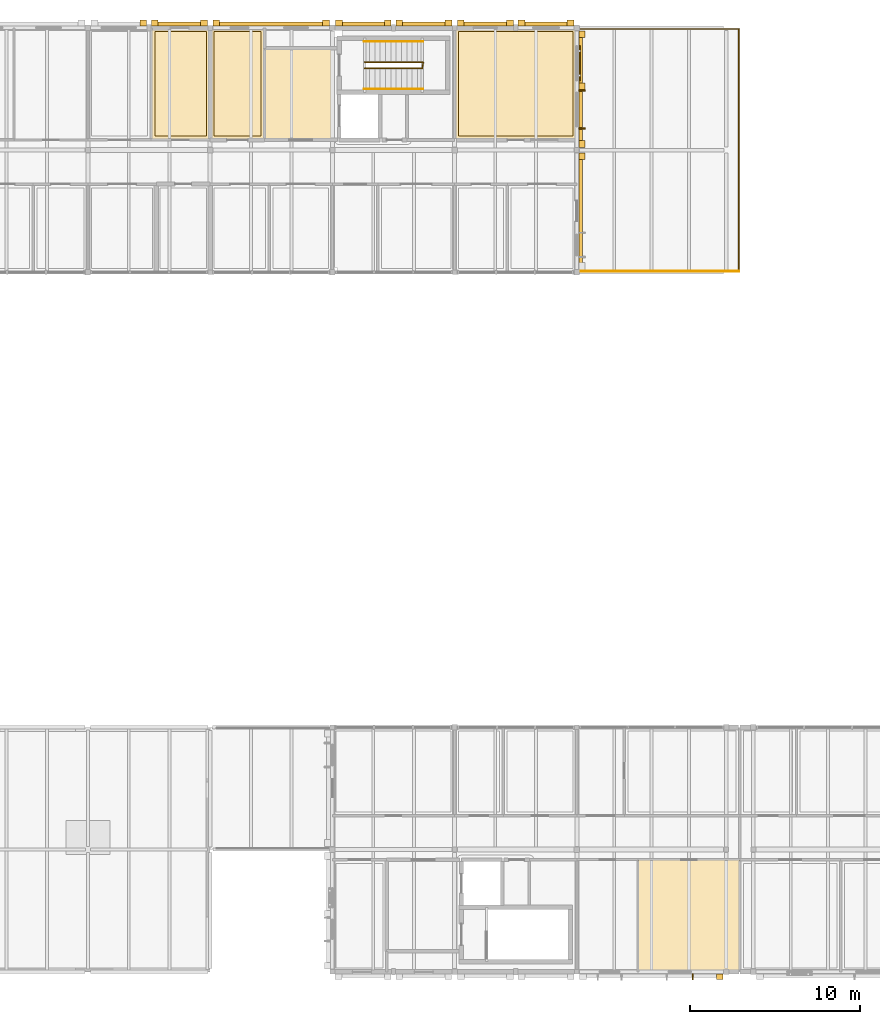
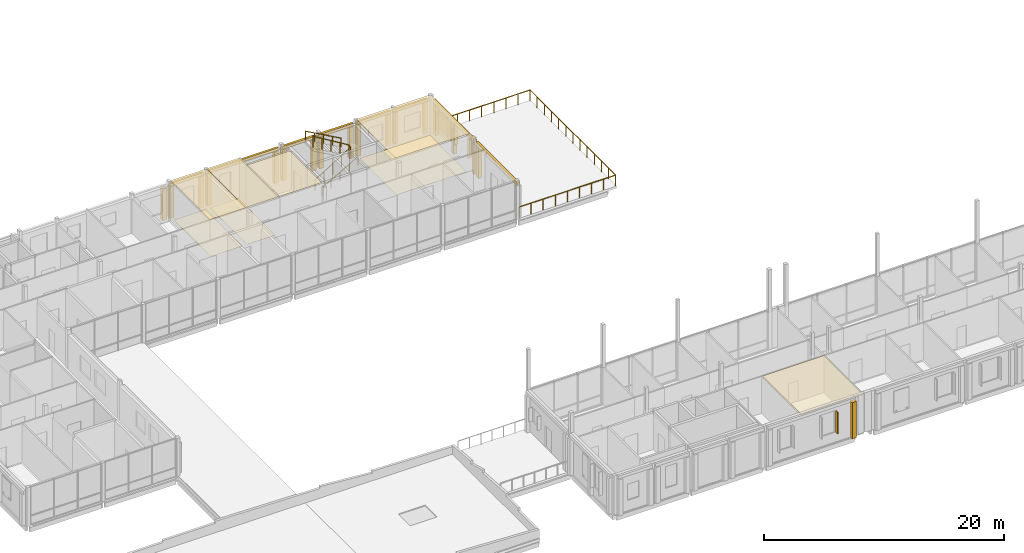
# One storey, part 54 of 57: 34 coverings, 5 railings, 4 shading devices.
"""IFC4 building model written with IfcOpenShell, lengths in metres."""

from ifc_helpers import new_model, si_unit, direction, frame, origin, origin_2d, place, context, subcontext, project, spatial, polyline, rectangle, circle, outline, extrude, material, layer, layer_set, type_object, element, save


model = new_model("IFC4")

# Units and contexts
model_context = context("Model", 3, precision=1e-05, world=origin(), true_north=direction((0.0, 1.0)))
body_context = subcontext(model_context, "Body", "Model", "MODEL_VIEW")
ifc_project = project(units=[si_unit("LENGTHUNIT", "METRE"), si_unit("AREAUNIT", "SQUARE_METRE"), si_unit("VOLUMEUNIT", "CUBIC_METRE"), si_unit("PLANEANGLEUNIT", "RADIAN"), si_unit("MASSUNIT", "GRAM", prefix="KILO")], contexts=[model_context])

# Site, building, storey
site_placement = place(None, origin())
site = spatial("IfcSite", under=ifc_project, at=site_placement, CompositionType="ELEMENT")
building_placement = place(site_placement, origin())
building = spatial("IfcBuilding", under=site, at=building_placement, Name="Hawrajan Terrace Health Centre", CompositionType="ELEMENT")
storey_placement = place(building_placement, frame((0.0, 0.0, 13.199951171875)))
storey = spatial("IfcBuildingStorey", under=building, at=storey_placement, Name="L03", CompositionType="ELEMENT", Elevation=13.199951171875)

# Coverings
ifc_material_1 = material(Name="Precast concrete C40/50", Category="concrete")
ifc_layer_1 = layer(ifc_material_1, 0.219970703125)
ifc_layer_set_1 = layer_set([ifc_layer_1], Name="Precast concrete C40/50")
covering_type_1 = type_object("IfcCoveringType", Name="ArtDecoCorniceBand", PredefinedType="CLADDING", material=ifc_layer_set_1)
covering_1_placement = place(storey_placement, frame((38.7900390625, 60.034912109375, 3.240234375), z_axis=(0.0, 0.0, 1.0), x_axis=(1.0, 0.0, 0.0)))
element("IfcCovering", 1, at=covering_1_placement, inside=storey, type_object=covering_type_1, Name="Art Deco limestone cornice band CRN-L03-0167", PredefinedType="CLADDING", context=body_context, shape_type="SweptSolid", body=[
    extrude(rectangle(XDim=3.300048828125, YDim=0.219970703125, at=origin_2d()), origin(), (0.0, 0.0, 1.0), 0.300048828125),
])
covering_2_placement = place(storey_placement, frame((44.18994140625, 60.034912109375, 3.240234375), z_axis=(0.0, 0.0, 1.0), x_axis=(1.0, 0.0, 0.0)))
element("IfcCovering", 2, at=covering_2_placement, inside=storey, type_object=covering_type_1, Name="Art Deco limestone cornice band CRN-L03-0168", PredefinedType="CLADDING", context=body_context, shape_type="SweptSolid", body=[
    extrude(rectangle(XDim=6.860107421875, YDim=0.219970703125, at=origin_2d()), origin(), (0.0, 0.0, 1.0), 0.300048828125),
])
covering_3_placement = place(storey_placement, frame((49.6201171875, 60.034912109375, 3.2099609375), z_axis=(0.0, 0.0, 1.0), x_axis=(1.0, 0.0, 0.0)))
element("IfcCovering", 3, at=covering_3_placement, inside=storey, type_object=covering_type_1, Name="Art Deco limestone cornice band CRN-L03-0173", PredefinedType="CLADDING", context=body_context, shape_type="SweptSolid", body=[
    extrude(rectangle(XDim=3.280029296875, YDim=0.219970703125, at=origin_2d()), origin(), (0.0, 0.0, 1.0), 0.300048828125),
])
covering_4_placement = place(storey_placement, frame((53.18994140625, 60.034912109375, 3.2099609375), z_axis=(0.0, 0.0, 1.0), x_axis=(1.0, 0.0, 0.0)))
element("IfcCovering", 4, at=covering_4_placement, inside=storey, type_object=covering_type_1, Name="Art Deco limestone cornice band CRN-L03-0174", PredefinedType="CLADDING", context=body_context, shape_type="SweptSolid", body=[
    extrude(rectangle(XDim=3.300048828125, YDim=0.219970703125, at=origin_2d()), origin(), (0.0, 0.0, 1.0), 0.300048828125),
])
covering_5_placement = place(storey_placement, frame((62.43505859375, 49.010009765625, 3.2099609375), z_axis=(0.0, 0.0, 1.0), x_axis=(0.0, 1.0, 0.0)))
element("IfcCovering", 5, at=covering_5_placement, inside=storey, type_object=covering_type_1, Name="Art Deco limestone cornice band CRN-L03-0177", PredefinedType="CLADDING", context=body_context, shape_type="SweptSolid", body=[
    extrude(rectangle(XDim=6.860107421875, YDim=0.219970703125, at=origin_2d()), origin(), (0.0, 0.0, 1.0), 0.300048828125),
])
covering_6_placement = place(storey_placement, frame((56.81005859375, 60.034912109375, 3.2099609375), z_axis=(0.0, 0.0, 1.0), x_axis=(1.0, 0.0, 0.0)))
element("IfcCovering", 6, at=covering_6_placement, inside=storey, type_object=covering_type_1, Name="Art Deco limestone cornice band CRN-L03-0178", PredefinedType="CLADDING", context=body_context, shape_type="SweptSolid", body=[
    extrude(rectangle(XDim=3.300048828125, YDim=0.219970703125, at=origin_2d()), origin(), (0.0, 0.0, 1.0), 0.300048828125),
])
covering_7_placement = place(storey_placement, frame((60.3798828125, 60.034912109375, 3.2099609375), z_axis=(0.0, 0.0, 1.0), x_axis=(1.0, 0.0, 0.0)))
element("IfcCovering", 7, at=covering_7_placement, inside=storey, type_object=covering_type_1, Name="Art Deco limestone cornice band CRN-L03-0179", PredefinedType="CLADDING", context=body_context, shape_type="SweptSolid", body=[
    extrude(rectangle(XDim=3.280029296875, YDim=0.219970703125, at=origin_2d()), origin(), (0.0, 0.0, 1.0), 0.300048828125),
])
covering_8_placement = place(storey_placement, frame((62.43505859375, 56.18994140625, 3.2099609375), z_axis=(0.0, 0.0, 1.0), x_axis=(0.0, 1.0, 0.0)))
element("IfcCovering", 8, at=covering_8_placement, inside=storey, type_object=covering_type_1, Name="Art Deco limestone cornice band CRN-L03-0180", PredefinedType="CLADDING", context=body_context, shape_type="SweptSolid", body=[
    extrude(rectangle(XDim=6.860107421875, YDim=0.219970703125, at=origin_2d()), origin(), (0.0, 0.0, 1.0), 0.300048828125),
])
ifc_layer_2 = layer(ifc_material_1, 0.340087890625)
ifc_layer_set_2 = layer_set([ifc_layer_2], Name="Precast concrete C40/50")
covering_type_2 = type_object("IfcCoveringType", Name="ArtDecoStonePilaster", PredefinedType="CLADDING", material=ifc_layer_set_2)
for number, where, z_axis, x_axis, name in (
    (9, (36.659912109375, 60.094970703125, 0.0), (0.0, 0.0, 1.0), (1.0, 0.0, 0.0), "Art Deco fluted limestone pilaster FPIL-L03-0329"),
    (10, (37.340087890625, 60.094970703125, 0.0), (0.0, 0.0, 1.0), (1.0, 0.0, 0.0), "Art Deco fluted limestone pilaster FPIL-L03-0330"),
    (11, (40.239990234375, 60.094970703125, 0.0), (0.0, 0.0, 1.0), (1.0, 0.0, 0.0), "Art Deco fluted limestone pilaster FPIL-L03-0331"),
    (12, (40.9599609375, 60.094970703125, 0.0), (0.0, 0.0, 1.0), (1.0, 0.0, 0.0), "Art Deco fluted limestone pilaster FPIL-L03-0332"),
    (13, (47.419921875, 60.094970703125, 0.0), (0.0, 0.0, 1.0), (1.0, 0.0, 0.0), "Art Deco fluted limestone pilaster FPIL-L03-0333"),
):
    element("IfcCovering", number, at=place(storey_placement, frame(where, z_axis=z_axis, x_axis=x_axis)), inside=storey, type_object=covering_type_2, Name=name, PredefinedType="CLADDING", context=body_context, shape_type="SweptSolid", body=[
        extrude(rectangle(XDim=0.39990234375, YDim=0.340087890625, at=origin_2d()), origin(), (0.0, 0.0, 1.0), 3.22998046875),
    ])
for number, where, z_axis, x_axis, name in (
    (14, (48.179931640625, 60.094970703125, 0.0), (0.0, 0.0, 1.0), (1.0, 0.0, 0.0), "Art Deco fluted limestone pilaster FPIL-L03-0343"),
    (15, (51.06005859375, 60.094970703125, 0.0), (0.0, 0.0, 1.0), (1.0, 0.0, 0.0), "Art Deco fluted limestone pilaster FPIL-L03-0344"),
    (16, (51.739990234375, 60.094970703125, 0.0), (0.0, 0.0, 1.0), (1.0, 0.0, 0.0), "Art Deco fluted limestone pilaster FPIL-L03-0345"),
    (17, (54.639892578125, 60.094970703125, 0.0), (0.0, 0.0, 1.0), (1.0, 0.0, 0.0), "Art Deco fluted limestone pilaster FPIL-L03-0346"),
    (18, (62.4951171875, 52.239990234375, 0.0), (0.0, 0.0, 1.0), (0.0, 1.0, 0.0), "Art Deco fluted limestone pilaster FPIL-L03-0352"),
    (19, (55.360107421875, 60.094970703125, 0.0), (0.0, 0.0, 1.0), (1.0, 0.0, 0.0), "Art Deco fluted limestone pilaster FPIL-L03-0353"),
    (20, (58.260009765625, 60.094970703125, 0.0), (0.0, 0.0, 1.0), (1.0, 0.0, 0.0), "Art Deco fluted limestone pilaster FPIL-L03-0354"),
    (21, (58.93994140625, 60.094970703125, 0.0), (0.0, 0.0, 1.0), (1.0, 0.0, 0.0), "Art Deco fluted limestone pilaster FPIL-L03-0355"),
    (22, (61.820068359375, 60.094970703125, 0.0), (0.0, 0.0, 1.0), (1.0, 0.0, 0.0), "Art Deco fluted limestone pilaster FPIL-L03-0356"),
    (23, (62.4951171875, 52.9599609375, 0.0), (0.0, 0.0, 1.0), (0.0, 1.0, 0.0), "Art Deco fluted limestone pilaster FPIL-L03-0357"),
    (24, (62.4951171875, 59.419921875, 0.0), (0.0, 0.0, 1.0), (0.0, 1.0, 0.0), "Art Deco fluted limestone pilaster FPIL-L03-0358"),
):
    element("IfcCovering", number, at=place(storey_placement, frame(where, z_axis=z_axis, x_axis=x_axis)), inside=storey, type_object=covering_type_2, Name=name, PredefinedType="CLADDING", context=body_context, shape_type="SweptSolid", body=[
        extrude(rectangle(XDim=0.39990234375, YDim=0.340087890625, at=origin_2d()), origin(), (0.0, 0.0, 1.0), 3.199951171875),
    ])
covering_9_placement = place(storey_placement, frame((62.4951171875, 56.360107421875, 0.0), z_axis=(0.0, 0.0, 1.0), x_axis=(0.0, 1.0, 0.0)))
element("IfcCovering", 25, at=covering_9_placement, inside=storey, type_object=covering_type_2, Name="Art Deco mullion pilaster FPIL-L03-0359", PredefinedType="CLADDING", context=body_context, shape_type="SweptSolid", body=[
    extrude(rectangle(XDim=0.360107421875, YDim=0.340087890625, at=origin_2d()), origin(), (0.0, 0.0, 1.0), 3.199951171875),
])
covering_10_placement = place(storey_placement, frame((70.6201171875, 3.905029296875, 0.0), z_axis=(0.0, 0.0, 1.0), x_axis=(1.0, 0.0, 0.0)))
element("IfcCovering", 26, at=covering_10_placement, inside=storey, type_object=covering_type_2, Name="Art Deco fluted limestone pilaster FPIL-L03-0361", PredefinedType="CLADDING", context=body_context, shape_type="SweptSolid", body=[
    extrude(rectangle(XDim=0.39990234375, YDim=0.340087890625, at=origin_2d()), origin(), (0.0, 0.0, 1.0), 3.679931640625),
])
ifc_material_2 = material(Name="Hygienic mineral-fibre acoustic tile ceiling")
ifc_layer_3 = layer(ifc_material_2, 0.02490234375)
ifc_layer_set_3 = layer_set([ifc_layer_3], Name="Hygienic mineral-fibre acoustic tile ceiling")
covering_type_3 = type_object("IfcCoveringType", Name="ClinicalAcousticCeiling_25", PredefinedType="CEILING", material=ifc_layer_set_3)
covering_11_placement = place(storey_placement, frame((0.0, 0.0, 3.93505859375)))
element("IfcCovering", 27, at=covering_11_placement, inside=storey, type_object=covering_type_3, Name="Suspended ceiling L03-013", PredefinedType="CEILING", context=body_context, shape_type="SweptSolid", body=[
    extrude(outline(polyline([(43.820068359375, 53.219970703125), (43.820068359375, 58.580078125), (47.929931640625, 58.580078125), (47.929931640625, 53.219970703125), (43.820068359375, 53.219970703125)])), origin(), (0.0, 0.0, 1.0), 0.02490234375),
])
covering_12_placement = place(storey_placement, frame((0.0, 0.0, 3.72509765625)))
element("IfcCovering", 28, at=covering_12_placement, inside=storey, type_object=covering_type_3, Name="Suspended ceiling L03-027", PredefinedType="CEILING", context=body_context, shape_type="SweptSolid", body=[
    extrude(outline(polyline([(65.820068359375, 10.780029296875), (71.77490234375, 10.780029296875), (71.77490234375, 4.219970703125), (65.820068359375, 4.219970703125), (65.820068359375, 10.780029296875)])), origin(), (0.0, 0.0, 1.0), 0.02490234375),
])
covering_13_placement = place(storey_placement, frame((0.0, 0.0, 3.93505859375)))
element("IfcCovering", 29, at=covering_13_placement, inside=storey, type_object=covering_type_3, Name="Suspended ceiling L03-047", PredefinedType="CEILING", context=body_context, shape_type="SweptSolid", body=[
    extrude(outline(polyline([(37.142333984375, 59.780029296875), (40.580078125, 59.780029296875), (40.580078125, 53.219970703125), (37.142333984375, 53.219970703125), (37.142333984375, 59.780029296875)])), origin(), (0.0, 0.0, 1.0), 0.02490234375),
])
covering_14_placement = place(storey_placement, frame((0.0, 0.0, 3.93505859375)))
element("IfcCovering", 30, at=covering_14_placement, inside=storey, type_object=covering_type_3, Name="Suspended ceiling L03-050", PredefinedType="CEILING", context=body_context, shape_type="SweptSolid", body=[
    extrude(outline(polyline([(40.6201171875, 59.780029296875), (43.780029296875, 59.780029296875), (43.780029296875, 53.219970703125), (40.6201171875, 53.219970703125), (40.6201171875, 59.780029296875)])), origin(), (0.0, 0.0, 1.0), 0.02490234375),
])
covering_15_placement = place(storey_placement, frame((0.0, 0.0, 3.93505859375)))
element("IfcCovering", 31, at=covering_15_placement, inside=storey, type_object=covering_type_3, Name="Suspended ceiling L03-055", PredefinedType="CEILING", context=body_context, shape_type="SweptSolid", body=[
    extrude(outline(polyline([(55.02001953125, 59.780029296875), (62.179931640625, 59.780029296875), (62.179931640625, 53.219970703125), (55.02001953125, 53.219970703125), (55.02001953125, 59.780029296875)])), origin(), (0.0, 0.0, 1.0), 0.02490234375),
])
ifc_material_3 = material(Name="Seamless medical-grade cushioned vinyl flooring")
ifc_layer_4 = layer(ifc_material_3, 0.011962890625)
ifc_layer_set_4 = layer_set([ifc_layer_4], Name="Seamless medical-grade cushioned vinyl flooring")
covering_type_4 = type_object("IfcCoveringType", Name="ClinicalVinylFlooring_12", PredefinedType="FLOORING", material=ifc_layer_set_4)
covering_16_placement = place(storey_placement, origin())
element("IfcCovering", 32, at=covering_16_placement, inside=storey, type_object=covering_type_4, Name="Floor finish L03-047", PredefinedType="FLOORING", context=body_context, shape_type="SweptSolid", body=[
    extrude(outline(polyline([(37.34228515625, 59.580078125), (40.3798828125, 59.580078125), (40.3798828125, 53.419921875), (37.34228515625, 53.419921875), (37.34228515625, 59.580078125)])), origin(), (0.0, 0.0, 1.0), 0.011962890625),
])
covering_17_placement = place(storey_placement, origin())
element("IfcCovering", 33, at=covering_17_placement, inside=storey, type_object=covering_type_4, Name="Floor finish L03-050", PredefinedType="FLOORING", context=body_context, shape_type="SweptSolid", body=[
    extrude(outline(polyline([(40.820068359375, 59.580078125), (43.580078125, 59.580078125), (43.580078125, 53.419921875), (40.820068359375, 53.419921875), (40.820068359375, 59.580078125)])), origin(), (0.0, 0.0, 1.0), 0.011962890625),
])
covering_18_placement = place(storey_placement, origin())
element("IfcCovering", 34, at=covering_18_placement, inside=storey, type_object=covering_type_4, Name="Floor finish L03-055", PredefinedType="FLOORING", context=body_context, shape_type="SweptSolid", body=[
    extrude(outline(polyline([(55.219970703125, 59.580078125), (61.97998046875, 59.580078125), (61.97998046875, 53.419921875), (55.219970703125, 53.419921875), (55.219970703125, 59.580078125)])), origin(), (0.0, 0.0, 1.0), 0.011962890625),
])

# Shading devices
ifc_material_4 = material(Name="Anodized bronze mashrabiya vertical solar fin")
ifc_layer_5 = layer(ifc_material_4, 0.080078125)
ifc_layer_set_5 = layer_set([ifc_layer_5], Name="Anodized bronze mashrabiya vertical solar fin")
shading_device_type_1 = type_object("IfcShadingDeviceType", Name="MashrabiyaVerticalFin", PredefinedType="USERDEFINED", material=ifc_layer_set_5)
for number, where, z_axis, x_axis, name in (
    (35, (62.5048828125, 53.8798828125, 1.0), (0.0, 0.0, 1.0), (0.0, 1.0, 0.0), "Bronze mashrabiya solar fin FIN-L03-0227"),
    (36, (62.5048828125, 56.110107421875, 1.0), (0.0, 0.0, 1.0), (0.0, 1.0, 0.0), "Bronze mashrabiya solar fin FIN-L03-0228"),
):
    element("IfcShadingDevice", number, at=place(storey_placement, frame(where, z_axis=z_axis, x_axis=x_axis)), inside=storey, type_object=shading_device_type_1, Name=name, ObjectType="SOLAR_FIN", PredefinedType="USERDEFINED", context=body_context, shape_type="SweptSolid", body=[
        extrude(rectangle(XDim=0.080078125, YDim=0.360107421875, at=origin_2d()), origin(), (0.0, 0.0, 1.0), 1.949951171875),
    ])
shading_device_1_placement = place(storey_placement, frame((69.02490234375, 3.89501953125, 1.0), z_axis=(0.0, 0.0, 1.0), x_axis=(1.0, 0.0, 0.0)))
element("IfcShadingDevice", 37, at=shading_device_1_placement, inside=storey, type_object=shading_device_type_1, Name="Bronze mashrabiya solar fin FIN-L03-0233", ObjectType="SOLAR_FIN", PredefinedType="USERDEFINED", context=body_context, shape_type="SweptSolid", body=[
    extrude(rectangle(XDim=0.080078125, YDim=0.360107421875, at=origin_2d()), origin(), (0.0, 0.0, 1.0), 2.199951171875),
])
ifc_material_5 = material(Name="Anodized bronze and cedar roshan lattice")
ifc_layer_6 = layer(ifc_material_5, 0.080078125)
ifc_layer_set_6 = layer_set([ifc_layer_6], Name="Anodized bronze and cedar roshan lattice")
shading_device_type_2 = type_object("IfcShadingDeviceType", Name="RoshanScreen_BronzeCedar", PredefinedType="JALOUSIE", material=ifc_layer_set_6)
shading_device_2_placement = place(storey_placement, frame((62.3701171875, 57.72509765625, 1.0), z_axis=(0.0, 0.0, 1.0), x_axis=(0.0, 1.0, 0.0)))
element("IfcShadingDevice", 38, at=shading_device_2_placement, inside=storey, type_object=shading_device_type_2, Name="Hijazi roshan solar screen RSH-L03-229", PredefinedType="JALOUSIE", context=body_context, shape_type="SweptSolid", body=[
    extrude(rectangle(XDim=2.050048828125, YDim=0.080078125, at=origin_2d()), origin(), (0.0, 0.0, 1.0), 1.949951171875),
])

# Railings
ifc_material_6 = material(Name="Brushed stainless steel tubular handrail", Category="steel")
railing_type_1 = type_object("IfcRailingType", Name="StairHandrail_900", PredefinedType="HANDRAIL", material=ifc_material_6)
railing_1_placement = place(storey_placement, frame((49.675048828125, 56.199951171875, 0.175048828125)))
element("IfcRailing", 39, at=railing_1_placement, inside=storey, type_object=railing_type_1, Name="Stair handrail ST-2-L03-H1", PredefinedType="HANDRAIL", context=body_context, shape_type="SweptSolid", body=[
    extrude(circle(Radius=0.02392578125, at=origin_2d()), frame((0.025146484375, 0.0, 0.889892578125), z_axis=(0.873252128816, 0.0, 0.487268631782), x_axis=(0.0, 1.0, 0.0)), (0.0, 0.0, 1.0), 3.89306640625),
    extrude(circle(Radius=0.02099609375, at=origin_2d()), origin(), (0.0, 0.0, 1.0), 0.846923828125),
    extrude(circle(Radius=0.02099609375, at=origin_2d()), frame((0.862548828125, 0.0, 0.481201171875)), (0.0, 0.0, 1.0), 0.846923828125),
    extrude(circle(Radius=0.02099609375, at=origin_2d()), frame((1.72509765625, 0.0, 0.96240234375)), (0.0, 0.0, 1.0), 0.846923828125),
    extrude(circle(Radius=0.02099609375, at=origin_2d()), frame((2.58740234375, 0.0, 1.44384765625)), (0.0, 0.0, 1.0), 0.846923828125),
    extrude(circle(Radius=0.02099609375, at=origin_2d()), frame((3.449951171875, 0.0, 1.925048828125)), (0.0, 0.0, 1.0), 0.846923828125),
])
railing_2_placement = place(storey_placement, frame((53.125, 59.0, 2.275146484375)))
element("IfcRailing", 40, at=railing_2_placement, inside=storey, type_object=railing_type_1, Name="Stair handrail ST-2-L03-H2", PredefinedType="HANDRAIL", context=body_context, shape_type="SweptSolid", body=[
    extrude(circle(Radius=0.02392578125, at=origin_2d()), frame((-0.025146484375, 0.0, 0.889892578125), z_axis=(-0.873278423438, 0.0, 0.487221505229), x_axis=(0.0, -1.0, 0.0)), (0.0, 0.0, 1.0), 3.892822265625),
    extrude(circle(Radius=0.02099609375, at=origin_2d()), origin(), (0.0, 0.0, 1.0), 0.846923828125),
    extrude(circle(Radius=0.02099609375, at=origin_2d()), frame((-0.862548828125, 0.0, 0.481201171875)), (0.0, 0.0, 1.0), 0.846923828125),
    extrude(circle(Radius=0.02099609375, at=origin_2d()), frame((-1.72509765625, 0.0, 0.96240234375)), (0.0, 0.0, 1.0), 0.846923828125),
    extrude(circle(Radius=0.02099609375, at=origin_2d()), frame((-2.58740234375, 0.0, 1.443603515625)), (0.0, 0.0, 1.0), 0.846923828125),
    extrude(circle(Radius=0.02099609375, at=origin_2d()), frame((-3.449951171875, 0.0, 1.9248046875)), (0.0, 0.0, 1.0), 0.846923828125),
])
ifc_material_7 = material(Name="Painted steel stair well guard", Category="steel")
railing_type_2 = type_object("IfcRailingType", Name="StairWellGuard_1120", PredefinedType="GUARDRAIL", material=ifc_material_7)
railing_3_placement = place(storey_placement, frame((49.699951171875, 57.419921875, 0.0)))
element("IfcRailing", 41, at=railing_3_placement, inside=storey, type_object=railing_type_2, Name="Stair well guard ST-2-L03-G1", PredefinedType="GUARDRAIL", context=body_context, shape_type="SweptSolid", body=[
    extrude(circle(Radius=0.02392578125, at=origin_2d()), frame((0.024658203125, 0.0, 1.111328125), z_axis=(0.850797194049, 0.0, 0.525494181317), x_axis=(0.0, 1.0, 0.0)), (0.0, 0.0, 1.0), 3.938720703125),
    extrude(circle(Radius=0.02392578125, at=origin_2d()), frame((3.404052734375, 0.028564453125, 3.1962890625), z_axis=(0.137000993654, 0.99057091, 0.0), x_axis=(-0.99057091, 0.137000993654, 0.0)), (0.0, 0.0, 1.0), 0.305908203125),
    extrude(circle(Radius=0.02392578125, at=origin_2d()), frame((3.42529296875, 0.360107421875, 3.211181640625), z_axis=(-0.854211395654, 0.0, 0.519925851958), x_axis=(0.0, -1.0, 0.0)), (0.0, 0.0, 1.0), 3.98095703125),
    extrude(circle(Radius=0.02099609375, at=origin_2d()), origin(), (0.0, 0.0, 1.0), 1.067138671875),
    extrude(circle(Radius=0.02099609375, at=origin_2d()), frame((0.85009765625, 0.0, 0.52490234375)), (0.0, 0.0, 1.0), 1.067138671875),
    extrude(circle(Radius=0.02099609375, at=origin_2d()), frame((1.7001953125, 0.0, 1.050048828125)), (0.0, 0.0, 1.0), 1.067138671875),
    extrude(circle(Radius=0.02099609375, at=origin_2d()), frame((2.550048828125, 0.0, 1.5751953125)), (0.0, 0.0, 1.0), 1.067138671875),
    extrude(circle(Radius=0.02099609375, at=origin_2d()), frame((3.400146484375, 0.0, 2.10009765625)), (0.0, 0.0, 1.0), 1.067138671875),
    extrude(circle(Radius=0.02099609375, at=origin_2d()), frame((3.449951171875, 0.360107421875, 2.10009765625)), (0.0, 0.0, 1.0), 1.067138671875),
    extrude(circle(Radius=0.02099609375, at=origin_2d()), frame((2.58740234375, 0.360107421875, 2.625)), (0.0, 0.0, 1.0), 1.067138671875),
    extrude(circle(Radius=0.02099609375, at=origin_2d()), frame((1.72509765625, 0.360107421875, 3.14990234375)), (0.0, 0.0, 1.0), 1.067138671875),
    extrude(circle(Radius=0.02099609375, at=origin_2d()), frame((0.862548828125, 0.360107421875, 3.675048828125)), (0.0, 0.0, 1.0), 1.067138671875),
    extrude(circle(Radius=0.02099609375, at=origin_2d()), frame((0.0, 0.360107421875, 4.199951171875)), (0.0, 0.0, 1.0), 1.067138671875),
])
ifc_material_8 = material(Name="Anodized bronze post and balustrade guard")
railing_type_3 = type_object("IfcRailingType", Name="TerraceGuard_1120", PredefinedType="GUARDRAIL", material=ifc_material_8)
railing_4_placement = place(storey_placement, frame((71.735107421875, 45.4599609375, 0.0)))
element("IfcRailing", 42, at=railing_4_placement, inside=storey, type_object=railing_type_3, Name="Terrace perimeter guard L03-011", PredefinedType="GUARDRAIL", context=body_context, shape_type="SweptSolid", body=[
    extrude(circle(Radius=0.02392578125, at=origin_2d()), frame((-0.02880859375, 0.0, 1.09619140625), z_axis=(-1.0, 0.0, 0.0), x_axis=(0.0, -1.0, 0.0)), (0.0, 0.0, 1.0), 9.257568359375),
    extrude(circle(Radius=0.02099609375, at=origin_2d()), origin(), (0.0, 0.0, 1.0), 1.067138671875),
    extrude(circle(Radius=0.02099609375, at=origin_2d()), frame((-1.164306640625, 0.0, 0.0)), (0.0, 0.0, 1.0), 1.067138671875),
    extrude(circle(Radius=0.02099609375, at=origin_2d()), frame((-2.328857421875, 0.0, 0.0)), (0.0, 0.0, 1.0), 1.067138671875),
    extrude(circle(Radius=0.02099609375, at=origin_2d()), frame((-3.4931640625, 0.0, 0.0)), (0.0, 0.0, 1.0), 1.067138671875),
    extrude(circle(Radius=0.02099609375, at=origin_2d()), frame((-4.65771484375, 0.0, 0.0)), (0.0, 0.0, 1.0), 1.067138671875),
    extrude(circle(Radius=0.02099609375, at=origin_2d()), frame((-5.822021484375, 0.0, 0.0)), (0.0, 0.0, 1.0), 1.067138671875),
    extrude(circle(Radius=0.02099609375, at=origin_2d()), frame((-6.986328125, 0.0, 0.0)), (0.0, 0.0, 1.0), 1.067138671875),
    extrude(circle(Radius=0.02099609375, at=origin_2d()), frame((-8.15087890625, 0.0, 0.0)), (0.0, 0.0, 1.0), 1.067138671875),
    extrude(circle(Radius=0.02099609375, at=origin_2d()), frame((-9.315185546875, 0.0, 0.0)), (0.0, 0.0, 1.0), 1.067138671875),
])
railing_5_placement = place(storey_placement, frame((62.419921875, 59.739990234375, 0.0)))
element("IfcRailing", 43, at=railing_5_placement, inside=storey, type_object=railing_type_3, Name="Terrace perimeter guard L03-012", PredefinedType="GUARDRAIL", context=body_context, shape_type="SweptSolid", body=[
    extrude(circle(Radius=0.02392578125, at=origin_2d()), frame((0.02880859375, 0.0, 1.09619140625), z_axis=(1.0, 0.0, 0.0), x_axis=(0.0, 1.0, 0.0)), (0.0, 0.0, 1.0), 9.257568359375),
    extrude(circle(Radius=0.02392578125, at=origin_2d()), frame((9.315185546875, -0.02880859375, 1.09619140625), z_axis=(0.0, -1.0, 0.0), x_axis=(1.0, 0.0, 0.0)), (0.0, 0.0, 1.0), 14.222412109375),
    extrude(circle(Radius=0.02099609375, at=origin_2d()), origin(), (0.0, 0.0, 1.0), 1.067138671875),
    extrude(circle(Radius=0.02099609375, at=origin_2d()), frame((1.164306640625, 0.0, 0.0)), (0.0, 0.0, 1.0), 1.067138671875),
    extrude(circle(Radius=0.02099609375, at=origin_2d()), frame((2.328857421875, 0.0, 0.0)), (0.0, 0.0, 1.0), 1.067138671875),
    extrude(circle(Radius=0.02099609375, at=origin_2d()), frame((3.4931640625, 0.0, 0.0)), (0.0, 0.0, 1.0), 1.067138671875),
    extrude(circle(Radius=0.02099609375, at=origin_2d()), frame((4.65771484375, 0.0, 0.0)), (0.0, 0.0, 1.0), 1.067138671875),
    extrude(circle(Radius=0.02099609375, at=origin_2d()), frame((5.822021484375, 0.0, 0.0)), (0.0, 0.0, 1.0), 1.067138671875),
    extrude(circle(Radius=0.02099609375, at=origin_2d()), frame((6.986328125, 0.0, 0.0)), (0.0, 0.0, 1.0), 1.067138671875),
    extrude(circle(Radius=0.02099609375, at=origin_2d()), frame((8.15087890625, 0.0, 0.0)), (0.0, 0.0, 1.0), 1.067138671875),
    extrude(circle(Radius=0.02099609375, at=origin_2d()), frame((9.315185546875, 0.0, 0.0)), (0.0, 0.0, 1.0), 1.067138671875),
    extrude(circle(Radius=0.02099609375, at=origin_2d()), frame((9.315185546875, -1.18994140625, 0.0)), (0.0, 0.0, 1.0), 1.067138671875),
    extrude(circle(Radius=0.02099609375, at=origin_2d()), frame((9.315185546875, -2.3798828125, 0.0)), (0.0, 0.0, 1.0), 1.067138671875),
    extrude(circle(Radius=0.02099609375, at=origin_2d()), frame((9.315185546875, -3.570068359375, 0.0)), (0.0, 0.0, 1.0), 1.067138671875),
    extrude(circle(Radius=0.02099609375, at=origin_2d()), frame((9.315185546875, -4.760009765625, 0.0)), (0.0, 0.0, 1.0), 1.067138671875),
    extrude(circle(Radius=0.02099609375, at=origin_2d()), frame((9.315185546875, -5.949951171875, 0.0)), (0.0, 0.0, 1.0), 1.067138671875),
    extrude(circle(Radius=0.02099609375, at=origin_2d()), frame((9.315185546875, -7.14013671875, 0.0)), (0.0, 0.0, 1.0), 1.067138671875),
    extrude(circle(Radius=0.02099609375, at=origin_2d()), frame((9.315185546875, -8.330078125, 0.0)), (0.0, 0.0, 1.0), 1.067138671875),
    extrude(circle(Radius=0.02099609375, at=origin_2d()), frame((9.315185546875, -9.52001953125, 0.0)), (0.0, 0.0, 1.0), 1.067138671875),
    extrude(circle(Radius=0.02099609375, at=origin_2d()), frame((9.315185546875, -10.7099609375, 0.0)), (0.0, 0.0, 1.0), 1.067138671875),
    extrude(circle(Radius=0.02099609375, at=origin_2d()), frame((9.315185546875, -11.89990234375, 0.0)), (0.0, 0.0, 1.0), 1.067138671875),
    extrude(circle(Radius=0.02099609375, at=origin_2d()), frame((9.315185546875, -13.090087890625, 0.0)), (0.0, 0.0, 1.0), 1.067138671875),
    extrude(circle(Radius=0.02099609375, at=origin_2d()), frame((9.315185546875, -14.280029296875, 0.0)), (0.0, 0.0, 1.0), 1.067138671875),
])

save(model, "model.ifc")
